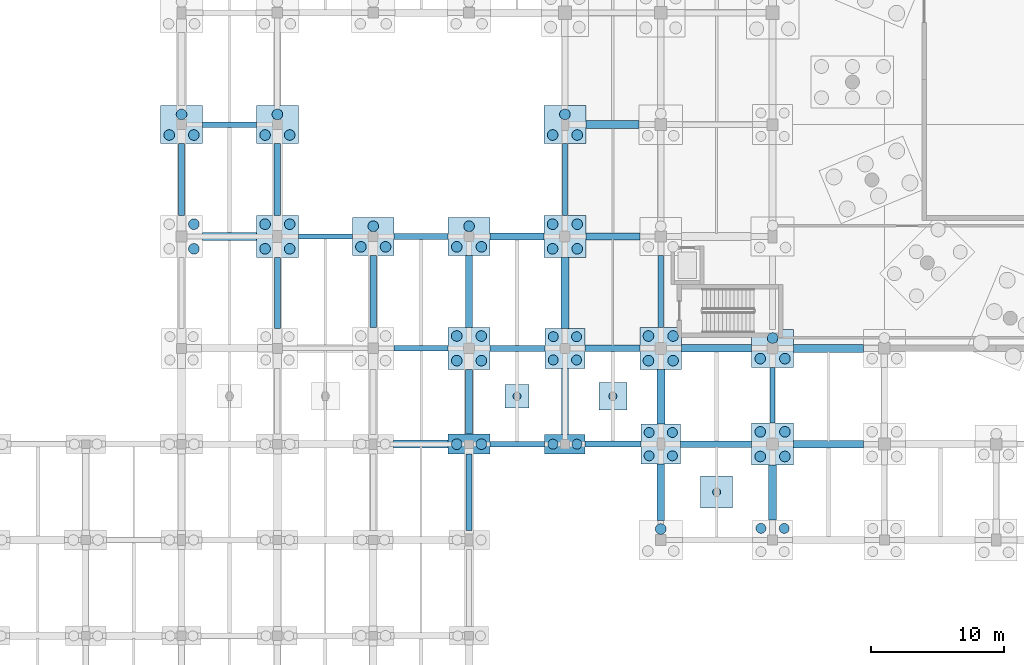
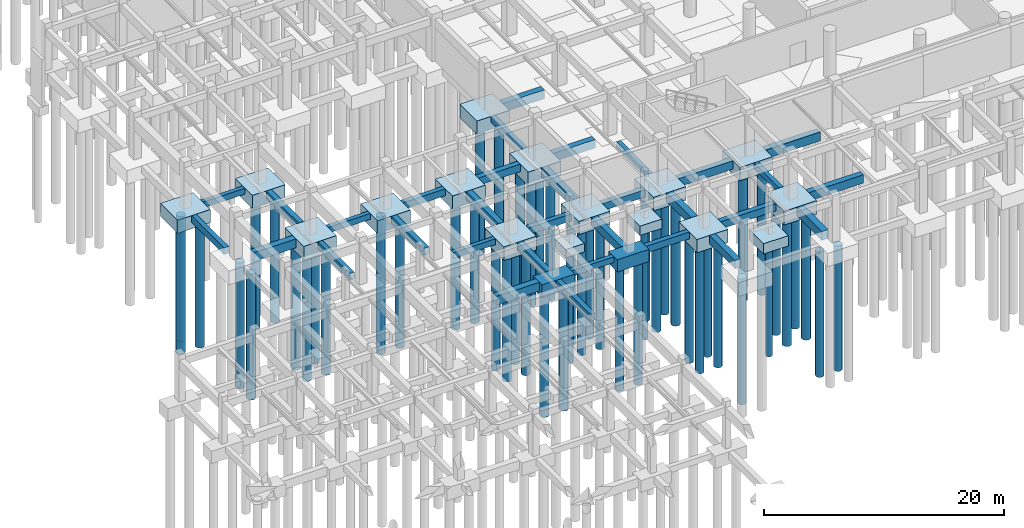
# One storey, part 3 of 44: 58 piles, 50 footings.
"""IFC4 building model written with IfcOpenShell, lengths in metres."""

from ifc_helpers import new_model, si_unit, direction, frame, origin, origin_2d, place, context, subcontext, project, spatial, rectangle, circle, extrude, material, material_profile, profile_set, type_object, element, save


model = new_model("IFC4")

# Units and contexts
model_context = context("Model", 3, precision=1e-05, world=origin(), true_north=direction((0.0, 1.0)))
body_context = subcontext(model_context, "Body", "Model", "MODEL_VIEW")
ifc_project = project(units=[si_unit("LENGTHUNIT", "METRE"), si_unit("AREAUNIT", "SQUARE_METRE"), si_unit("VOLUMEUNIT", "CUBIC_METRE"), si_unit("PLANEANGLEUNIT", "RADIAN"), si_unit("MASSUNIT", "GRAM", prefix="KILO")], contexts=[model_context])

# Site, building, storey
site_placement = place(None, origin())
site = spatial("IfcSite", under=ifc_project, at=site_placement, CompositionType="ELEMENT")
building_placement = place(site_placement, origin())
building = spatial("IfcBuilding", under=site, at=building_placement, Name="Korsvaeld Concert Hall", CompositionType="ELEMENT")
storey_placement = place(building_placement, frame((0.0, 0.0, -4.800048828125)))
storey = spatial("IfcBuildingStorey", under=building, at=storey_placement, Name="B1", CompositionType="ELEMENT", Elevation=-4.800048828125)

# Footings
ifc_material = material(Name="Concrete C35/45", Category="concrete")
ifc_material_profile_1 = material_profile(ifc_material, rectangle(XDim=0.39990234375, YDim=0.60009765625, at=origin_2d()), Name="GTB 400x600")
ifc_profile_set_1 = profile_set([ifc_material_profile_1], Name="Concrete C35/45")
footing_type_1 = type_object("IfcFootingType", Name="GTB-400x600", PredefinedType="FOOTING_BEAM", material=ifc_profile_set_1)
footing_1_placement = place(storey_placement, frame((37.574951171875, 36.0, -0.300048828125), z_axis=(1.0, 0.0, 0.0), x_axis=(0.0, 1.0, 0.0)))
element("IfcFooting", 1, at=footing_1_placement, inside=storey, type_object=footing_type_1, Name="Ground tie beam 6-7/F", PredefinedType="FOOTING_BEAM", context=body_context, shape_type="SweptSolid", body=[
    extrude(rectangle(XDim=0.39990234375, YDim=0.60009765625, at=origin_2d()), origin(), (0.0, 0.0, 1.0), 4.10009765625),
])
for number, where, z_axis, x_axis, name in (
    (2, (30.375, 43.199951171875, -0.300048828125), (1.0, 0.0, 0.0), (0.0, 1.0, 0.0), "Ground tie beam 5-6/G"),
    (3, (23.175048828125, 51.60009765625, -0.300048828125), (1.0, 0.0, 0.0), (0.0, 1.0, 0.0), "Ground tie beam 4-5/H"),
):
    element("IfcFooting", number, at=place(storey_placement, frame(where, z_axis=z_axis, x_axis=x_axis)), inside=storey, type_object=footing_type_1, Name=name, PredefinedType="FOOTING_BEAM", context=body_context, shape_type="SweptSolid", body=[
        extrude(rectangle(XDim=0.39990234375, YDim=0.60009765625, at=origin_2d()), origin(), (0.0, 0.0, 1.0), 4.050048828125),
    ])
footing_2_placement = place(storey_placement, frame((15.97509765625, 60.0, -0.300048828125), z_axis=(1.0, 0.0, 0.0), x_axis=(0.0, 1.0, 0.0)))
element("IfcFooting", 4, at=footing_2_placement, inside=storey, type_object=footing_type_1, Name="Ground tie beam 3-4/J", PredefinedType="FOOTING_BEAM", context=body_context, shape_type="SweptSolid", body=[
    extrude(rectangle(XDim=0.39990234375, YDim=0.60009765625, at=origin_2d()), origin(), (0.0, 0.0, 1.0), 4.0498046875),
])
footing_3_placement = place(storey_placement, frame((43.199951171875, 53.175048828125, -0.300048828125), z_axis=(0.0, 1.0, 0.0), x_axis=(-1.0, 0.0, 0.0)))
element("IfcFooting", 5, at=footing_3_placement, inside=storey, type_object=footing_type_1, Name="Ground tie beam 7/H-J", PredefinedType="FOOTING_BEAM", context=body_context, shape_type="SweptSolid", body=[
    extrude(rectangle(XDim=0.39990234375, YDim=0.60009765625, at=origin_2d()), origin(), (0.0, 0.0, 1.0), 5.39990234375),
])
footing_4_placement = place(storey_placement, frame((50.39990234375, 44.77490234375, -0.300048828125), z_axis=(0.0, 1.0, 0.0), x_axis=(-1.0, 0.0, 0.0)))
element("IfcFooting", 6, at=footing_4_placement, inside=storey, type_object=footing_type_1, Name="Ground tie beam 8/G-H", PredefinedType="FOOTING_BEAM", context=body_context, shape_type="SweptSolid", body=[
    extrude(rectangle(XDim=0.39990234375, YDim=0.60009765625, at=origin_2d()), origin(), (0.0, 0.0, 1.0), 5.400146484375),
])
footing_5_placement = place(storey_placement, frame((58.800048828125, 37.574951171875, -0.300048828125), z_axis=(0.0, 1.0, 0.0), x_axis=(-1.0, 0.0, 0.0)))
element("IfcFooting", 7, at=footing_5_placement, inside=storey, type_object=footing_type_1, Name="Ground tie beam 9/F-G", PredefinedType="FOOTING_BEAM", context=body_context, shape_type="SweptSolid", body=[
    extrude(rectangle(XDim=0.39990234375, YDim=0.60009765625, at=origin_2d()), origin(), (0.0, 0.0, 1.0), 4.199951171875),
])
ifc_material_profile_2 = material_profile(ifc_material, rectangle(XDim=0.449951171875, YDim=0.699951171875, at=origin_2d()), Name="GTB 450x700")
ifc_profile_set_2 = profile_set([ifc_material_profile_2], Name="Concrete C35/45")
footing_type_2 = type_object("IfcFootingType", Name="GTB-450x700", PredefinedType="FOOTING_BEAM", material=ifc_profile_set_2)
footing_6_placement = place(storey_placement, frame((44.72509765625, 36.0, -0.349853515625), z_axis=(1.0, 0.0, 0.0), x_axis=(0.0, 1.0, 0.0)))
element("IfcFooting", 8, at=footing_6_placement, inside=storey, type_object=footing_type_2, Name="Ground tie beam 7-8/F", PredefinedType="FOOTING_BEAM", context=body_context, shape_type="SweptSolid", body=[
    extrude(rectangle(XDim=0.449951171875, YDim=0.699951171875, at=origin_2d()), origin(), (0.0, 0.0, 1.0), 4.1748046875),
])
footing_7_placement = place(storey_placement, frame((37.574951171875, 43.199951171875, -0.349853515625), z_axis=(1.0, 0.0, 0.0), x_axis=(0.0, 1.0, 0.0)))
element("IfcFooting", 9, at=footing_7_placement, inside=storey, type_object=footing_type_2, Name="Ground tie beam 6-7/G", PredefinedType="FOOTING_BEAM", context=body_context, shape_type="SweptSolid", body=[
    extrude(rectangle(XDim=0.449951171875, YDim=0.699951171875, at=origin_2d()), origin(), (0.0, 0.0, 1.0), 4.125),
])
footing_8_placement = place(storey_placement, frame((30.375, 51.60009765625, -0.349853515625), z_axis=(1.0, 0.0, 0.0), x_axis=(0.0, 1.0, 0.0)))
element("IfcFooting", 10, at=footing_8_placement, inside=storey, type_object=footing_type_2, Name="Ground tie beam 5-6/H", PredefinedType="FOOTING_BEAM", context=body_context, shape_type="SweptSolid", body=[
    extrude(rectangle(XDim=0.449951171875, YDim=0.699951171875, at=origin_2d()), origin(), (0.0, 0.0, 1.0), 4.050048828125),
])
footing_9_placement = place(storey_placement, frame((14.39990234375, 53.175048828125, -0.349853515625), z_axis=(0.0, 1.0, 0.0), x_axis=(-1.0, 0.0, 0.0)))
element("IfcFooting", 11, at=footing_9_placement, inside=storey, type_object=footing_type_2, Name="Ground tie beam 3/H-J", PredefinedType="FOOTING_BEAM", context=body_context, shape_type="SweptSolid", body=[
    extrude(rectangle(XDim=0.449951171875, YDim=0.699951171875, at=origin_2d()), origin(), (0.0, 0.0, 1.0), 5.39990234375),
])
footing_10_placement = place(storey_placement, frame((21.60009765625, 44.699951171875, -0.349853515625), z_axis=(0.0, 1.0, 0.0), x_axis=(-1.0, 0.0, 0.0)))
element("IfcFooting", 12, at=footing_10_placement, inside=storey, type_object=footing_type_2, Name="Ground tie beam 4/G-H", PredefinedType="FOOTING_BEAM", context=body_context, shape_type="SweptSolid", body=[
    extrude(rectangle(XDim=0.449951171875, YDim=0.699951171875, at=origin_2d()), origin(), (0.0, 0.0, 1.0), 5.324951171875),
])
footing_11_placement = place(storey_placement, frame((36.0, 29.52490234375, -0.349853515625), z_axis=(0.0, 1.0, 0.0), x_axis=(-1.0, 0.0, 0.0)))
element("IfcFooting", 13, at=footing_11_placement, inside=storey, type_object=footing_type_2, Name="Ground tie beam 6/E-F", PredefinedType="FOOTING_BEAM", context=body_context, shape_type="SweptSolid", body=[
    extrude(rectangle(XDim=0.449951171875, YDim=0.699951171875, at=origin_2d()), origin(), (0.0, 0.0, 1.0), 5.72509765625),
])
ifc_material_profile_3 = material_profile(ifc_material, rectangle(XDim=0.5, YDim=0.75, at=origin_2d()), Name="GTB 500x750")
ifc_profile_set_3 = profile_set([ifc_material_profile_3], Name="Concrete C35/45")
footing_type_3 = type_object("IfcFootingType", Name="GTB-500x750", PredefinedType="FOOTING_BEAM", material=ifc_profile_set_3)
footing_12_placement = place(storey_placement, frame((51.89990234375, 36.0, -0.375), z_axis=(1.0, 0.0, 0.0), x_axis=(0.0, 1.0, 0.0)))
element("IfcFooting", 14, at=footing_12_placement, inside=storey, type_object=footing_type_3, Name="Ground tie beam 8-9/F", PredefinedType="FOOTING_BEAM", context=body_context, shape_type="SweptSolid", body=[
    extrude(rectangle(XDim=0.5, YDim=0.75, at=origin_2d()), origin(), (0.0, 0.0, 1.0), 5.3251953125),
])
footing_13_placement = place(storey_placement, frame((44.699951171875, 43.199951171875, -0.375), z_axis=(1.0, 0.0, 0.0), x_axis=(0.0, 1.0, 0.0)))
element("IfcFooting", 15, at=footing_13_placement, inside=storey, type_object=footing_type_3, Name="Ground tie beam 7-8/G", PredefinedType="FOOTING_BEAM", context=body_context, shape_type="SweptSolid", body=[
    extrude(rectangle(XDim=0.5, YDim=0.75, at=origin_2d()), origin(), (0.0, 0.0, 1.0), 4.125),
])
footing_14_placement = place(storey_placement, frame((37.574951171875, 51.60009765625, -0.375), z_axis=(1.0, 0.0, 0.0), x_axis=(0.0, 1.0, 0.0)))
element("IfcFooting", 16, at=footing_14_placement, inside=storey, type_object=footing_type_3, Name="Ground tie beam 6-7/H", PredefinedType="FOOTING_BEAM", context=body_context, shape_type="SweptSolid", body=[
    extrude(rectangle(XDim=0.5, YDim=0.75, at=origin_2d()), origin(), (0.0, 0.0, 1.0), 4.050048828125),
])
footing_15_placement = place(storey_placement, frame((21.60009765625, 53.175048828125, -0.375), z_axis=(0.0, 1.0, 0.0), x_axis=(-1.0, 0.0, 0.0)))
element("IfcFooting", 17, at=footing_15_placement, inside=storey, type_object=footing_type_3, Name="Ground tie beam 4/H-J", PredefinedType="FOOTING_BEAM", context=body_context, shape_type="SweptSolid", body=[
    extrude(rectangle(XDim=0.5, YDim=0.75, at=origin_2d()), origin(), (0.0, 0.0, 1.0), 5.39990234375),
])
footing_16_placement = place(storey_placement, frame((28.800048828125, 44.77490234375, -0.375), z_axis=(0.0, 1.0, 0.0), x_axis=(-1.0, 0.0, 0.0)))
element("IfcFooting", 18, at=footing_16_placement, inside=storey, type_object=footing_type_3, Name="Ground tie beam 5/G-H", PredefinedType="FOOTING_BEAM", context=body_context, shape_type="SweptSolid", body=[
    extrude(rectangle(XDim=0.5, YDim=0.75, at=origin_2d()), origin(), (0.0, 0.0, 1.0), 5.400146484375),
])
footing_17_placement = place(storey_placement, frame((36.0, 36.75, -0.375), z_axis=(0.0, 1.0, 0.0), x_axis=(-1.0, 0.0, 0.0)))
element("IfcFooting", 19, at=footing_17_placement, inside=storey, type_object=footing_type_3, Name="Ground tie beam 6/F-G", PredefinedType="FOOTING_BEAM", context=body_context, shape_type="SweptSolid", body=[
    extrude(rectangle(XDim=0.5, YDim=0.75, at=origin_2d()), origin(), (0.0, 0.0, 1.0), 4.875),
])
ifc_material_profile_4 = material_profile(ifc_material, rectangle(XDim=0.550048828125, YDim=0.85009765625, at=origin_2d()), Name="GTB 550x850")
ifc_profile_set_4 = profile_set([ifc_material_profile_4], Name="Concrete C35/45")
footing_type_4 = type_object("IfcFootingType", Name="GTB-550x850", PredefinedType="FOOTING_BEAM", material=ifc_profile_set_4)
for number, where, z_axis, x_axis, name in (
    (20, (60.375, 36.0, -0.425048828125), (1.0, 0.0, 0.0), (0.0, 1.0, 0.0), "Ground tie beam 9-10/F"),
    (21, (51.97509765625, 43.199951171875, -0.425048828125), (1.0, 0.0, 0.0), (0.0, 1.0, 0.0), "Ground tie beam 8-9/G"),
):
    element("IfcFooting", number, at=place(storey_placement, frame(where, z_axis=z_axis, x_axis=x_axis)), inside=storey, type_object=footing_type_4, Name=name, PredefinedType="FOOTING_BEAM", context=body_context, shape_type="SweptSolid", body=[
        extrude(rectangle(XDim=0.550048828125, YDim=0.85009765625, at=origin_2d()), origin(), (0.0, 0.0, 1.0), 5.25),
    ])
footing_18_placement = place(storey_placement, frame((44.77490234375, 51.60009765625, -0.425048828125), z_axis=(1.0, 0.0, 0.0), x_axis=(0.0, 1.0, 0.0)))
element("IfcFooting", 22, at=footing_18_placement, inside=storey, type_object=footing_type_4, Name="Ground tie beam 7-8/H", PredefinedType="FOOTING_BEAM", context=body_context, shape_type="SweptSolid", body=[
    extrude(rectangle(XDim=0.550048828125, YDim=0.85009765625, at=origin_2d()), origin(), (0.0, 0.0, 1.0), 4.050048828125),
])
footing_19_placement = place(storey_placement, frame((36.0, 44.77490234375, -0.425048828125), z_axis=(0.0, 1.0, 0.0), x_axis=(-1.0, 0.0, 0.0)))
element("IfcFooting", 23, at=footing_19_placement, inside=storey, type_object=footing_type_4, Name="Ground tie beam 6/G-H", PredefinedType="FOOTING_BEAM", context=body_context, shape_type="SweptSolid", body=[
    extrude(rectangle(XDim=0.550048828125, YDim=0.85009765625, at=origin_2d()), origin(), (0.0, 0.0, 1.0), 5.400146484375),
])
footing_20_placement = place(storey_placement, frame((43.199951171875, 36.72509765625, -0.425048828125), z_axis=(0.0, 1.0, 0.0), x_axis=(-1.0, 0.0, 0.0)))
element("IfcFooting", 24, at=footing_20_placement, inside=storey, type_object=footing_type_4, Name="Ground tie beam 7/F-G", PredefinedType="FOOTING_BEAM", context=body_context, shape_type="SweptSolid", body=[
    extrude(rectangle(XDim=0.550048828125, YDim=0.85009765625, at=origin_2d()), origin(), (0.0, 0.0, 1.0), 4.974853515625),
])
footing_21_placement = place(storey_placement, frame((50.39990234375, 30.27490234375, -0.425048828125), z_axis=(0.0, 1.0, 0.0), x_axis=(-1.0, 0.0, 0.0)))
element("IfcFooting", 25, at=footing_21_placement, inside=storey, type_object=footing_type_4, Name="Ground tie beam 8/E-F", PredefinedType="FOOTING_BEAM", context=body_context, shape_type="SweptSolid", body=[
    extrude(rectangle(XDim=0.550048828125, YDim=0.85009765625, at=origin_2d()), origin(), (0.0, 0.0, 1.0), 4.22509765625),
])
ifc_material_profile_5 = material_profile(ifc_material, rectangle(XDim=0.60009765625, YDim=0.89990234375, at=origin_2d()), Name="GTB 600x900")
ifc_profile_set_5 = profile_set([ifc_material_profile_5], Name="Concrete C35/45")
footing_type_5 = type_object("IfcFootingType", Name="GTB-600x900", PredefinedType="FOOTING_BEAM", material=ifc_profile_set_5)
footing_22_placement = place(storey_placement, frame((30.324951171875, 36.0, -0.449951171875), z_axis=(1.0, 0.0, 0.0), x_axis=(0.0, 1.0, 0.0)))
element("IfcFooting", 26, at=footing_22_placement, inside=storey, type_object=footing_type_5, Name="Ground tie beam 5-6/F", PredefinedType="FOOTING_BEAM", context=body_context, shape_type="SweptSolid", body=[
    extrude(rectangle(XDim=0.60009765625, YDim=0.89990234375, at=origin_2d()), origin(), (0.0, 0.0, 1.0), 4.10009765625),
])
footing_23_placement = place(storey_placement, frame((60.375, 43.199951171875, -0.449951171875), z_axis=(1.0, 0.0, 0.0), x_axis=(0.0, 1.0, 0.0)))
element("IfcFooting", 27, at=footing_23_placement, inside=storey, type_object=footing_type_5, Name="Ground tie beam 9-10/G", PredefinedType="FOOTING_BEAM", context=body_context, shape_type="SweptSolid", body=[
    extrude(rectangle(XDim=0.60009765625, YDim=0.89990234375, at=origin_2d()), origin(), (0.0, 0.0, 1.0), 5.25),
])
footing_24_placement = place(storey_placement, frame((15.97509765625, 51.60009765625, -0.449951171875), z_axis=(1.0, 0.0, 0.0), x_axis=(0.0, 1.0, 0.0)))
element("IfcFooting", 28, at=footing_24_placement, inside=storey, type_object=footing_type_5, Name="Ground tie beam 3-4/H", PredefinedType="FOOTING_BEAM", context=body_context, shape_type="SweptSolid", body=[
    extrude(rectangle(XDim=0.60009765625, YDim=0.89990234375, at=origin_2d()), origin(), (0.0, 0.0, 1.0), 4.0498046875),
])
footing_25_placement = place(storey_placement, frame((44.77490234375, 60.0, -0.449951171875), z_axis=(1.0, 0.0, 0.0), x_axis=(0.0, 1.0, 0.0)))
element("IfcFooting", 29, at=footing_25_placement, inside=storey, type_object=footing_type_5, Name="Ground tie beam 7-8/J", PredefinedType="FOOTING_BEAM", context=body_context, shape_type="SweptSolid", body=[
    extrude(rectangle(XDim=0.60009765625, YDim=0.89990234375, at=origin_2d()), origin(), (0.0, 0.0, 1.0), 4.0),
])
footing_26_placement = place(storey_placement, frame((43.199951171875, 44.699951171875, -0.449951171875), z_axis=(0.0, 1.0, 0.0), x_axis=(-1.0, 0.0, 0.0)))
element("IfcFooting", 30, at=footing_26_placement, inside=storey, type_object=footing_type_5, Name="Ground tie beam 7/G-H", PredefinedType="FOOTING_BEAM", context=body_context, shape_type="SweptSolid", body=[
    extrude(rectangle(XDim=0.60009765625, YDim=0.89990234375, at=origin_2d()), origin(), (0.0, 0.0, 1.0), 5.324951171875),
])
for number, where, z_axis, x_axis, name in (
    (31, (50.39990234375, 37.5, -0.449951171875), (0.0, 1.0, 0.0), (-1.0, 0.0, 0.0), "Ground tie beam 8/F-G"),
    (32, (58.800048828125, 30.300048828125, -0.449951171875), (0.0, 1.0, 0.0), (-1.0, 0.0, 0.0), "Ground tie beam 9/E-F"),
):
    element("IfcFooting", number, at=place(storey_placement, frame(where, z_axis=z_axis, x_axis=x_axis)), inside=storey, type_object=footing_type_5, Name=name, PredefinedType="FOOTING_BEAM", context=body_context, shape_type="SweptSolid", body=[
        extrude(rectangle(XDim=0.60009765625, YDim=0.89990234375, at=origin_2d()), origin(), (0.0, 0.0, 1.0), 4.125),
    ])
footing_type_6 = type_object("IfcFootingType", Name="PC-2P-260x140x125", PredefinedType="PILE_CAP", material=ifc_material)
footing_27_placement = place(storey_placement, frame((43.199951171875, 36.0, -1.25), z_axis=(0.0, 0.0, 1.0), x_axis=(1.0, 0.0, 0.0)))
element("IfcFooting", 33, at=footing_27_placement, inside=storey, type_object=footing_type_6, Name="Pile cap 7/F", PredefinedType="PILE_CAP", context=body_context, shape_type="SweptSolid", body=[
    extrude(rectangle(XDim=3.050048828125, YDim=1.449951171875, at=origin_2d()), origin(), (0.0, 0.0, 1.0), 1.25),
])
footing_type_7 = type_object("IfcFootingType", Name="PC-2P-280x150x130", PredefinedType="PILE_CAP", material=ifc_material)
footing_28_placement = place(storey_placement, frame((36.0, 36.0, -1.2998046875), z_axis=(0.0, 0.0, 1.0), x_axis=(1.0, 0.0, 0.0)))
element("IfcFooting", 34, at=footing_28_placement, inside=storey, type_object=footing_type_7, Name="Pile cap 6/F", PredefinedType="PILE_CAP", context=body_context, shape_type="SweptSolid", body=[
    extrude(rectangle(XDim=3.14990234375, YDim=1.5, at=origin_2d()), origin(), (0.0, 0.0, 1.0), 1.300048828125),
])
footing_type_8 = type_object("IfcFootingType", Name="PC-3P-290x260x135", PredefinedType="PILE_CAP", material=ifc_material)
for number, where, z_axis, x_axis, name in (
    (35, (14.39990234375, 60.0, -1.35009765625), (0.0, 0.0, 1.0), (1.0, 0.0, 0.0), "Pile cap 3/J"),
    (36, (21.60009765625, 60.0, -1.35009765625), (0.0, 0.0, 1.0), (1.0, 0.0, 0.0), "Pile cap 4/J"),
    (37, (28.800048828125, 51.60009765625, -1.35009765625), (0.0, 0.0, 1.0), (1.0, 0.0, 0.0), "Pile cap 5/H"),
    (38, (36.0, 51.60009765625, -1.35009765625), (0.0, 0.0, 1.0), (1.0, 0.0, 0.0), "Pile cap 6/H"),
    (39, (43.199951171875, 60.0, -1.35009765625), (0.0, 0.0, 1.0), (1.0, 0.0, 0.0), "Pile cap 7/J"),
    (40, (58.800048828125, 43.199951171875, -1.35009765625), (0.0, 0.0, 1.0), (1.0, 0.0, 0.0), "Pile cap 9/G"),
):
    element("IfcFooting", number, at=place(storey_placement, frame(where, z_axis=z_axis, x_axis=x_axis)), inside=storey, type_object=footing_type_8, Name=name, PredefinedType="PILE_CAP", context=body_context, shape_type="SweptSolid", body=[
        extrude(rectangle(XDim=3.14990234375, YDim=2.85009765625, at=origin_2d()), origin(), (0.0, 0.0, 1.0), 1.35009765625),
    ])
footing_type_9 = type_object("IfcFootingType", Name="PC-4P-280x280x135", PredefinedType="PILE_CAP", material=ifc_material)
for number, where, z_axis, x_axis, name in (
    (41, (43.199951171875, 43.199951171875, -1.35009765625), (0.0, 0.0, 1.0), (1.0, 0.0, 0.0), "Pile cap 7/G"),
    (42, (50.39990234375, 36.0, -1.35009765625), (0.0, 0.0, 1.0), (1.0, 0.0, 0.0), "Pile cap 8/F"),
):
    element("IfcFooting", number, at=place(storey_placement, frame(where, z_axis=z_axis, x_axis=x_axis)), inside=storey, type_object=footing_type_9, Name=name, PredefinedType="PILE_CAP", context=body_context, shape_type="SweptSolid", body=[
        extrude(rectangle(XDim=3.0, YDim=3.0, at=origin_2d()), origin(), (0.0, 0.0, 1.0), 1.35009765625),
    ])
footing_type_10 = type_object("IfcFootingType", Name="PC-4P-300x300x140", PredefinedType="PILE_CAP", material=ifc_material)
for number, where, z_axis, x_axis, name in (
    (43, (21.60009765625, 51.60009765625, -1.39990234375), (0.0, 0.0, 1.0), (1.0, 0.0, 0.0), "Pile cap 4/H"),
    (44, (36.0, 43.199951171875, -1.39990234375), (0.0, 0.0, 1.0), (1.0, 0.0, 0.0), "Pile cap 6/G"),
    (45, (43.199951171875, 51.60009765625, -1.39990234375), (0.0, 0.0, 1.0), (1.0, 0.0, 0.0), "Pile cap 7/H"),
    (46, (50.39990234375, 43.199951171875, -1.39990234375), (0.0, 0.0, 1.0), (1.0, 0.0, 0.0), "Pile cap 8/G"),
    (47, (58.800048828125, 36.0, -1.39990234375), (0.0, 0.0, 1.0), (1.0, 0.0, 0.0), "Pile cap 9/F"),
):
    element("IfcFooting", number, at=place(storey_placement, frame(where, z_axis=z_axis, x_axis=x_axis)), inside=storey, type_object=footing_type_10, Name=name, PredefinedType="PILE_CAP", context=body_context, shape_type="SweptSolid", body=[
        extrude(rectangle(XDim=3.14990234375, YDim=3.14990234375, at=origin_2d()), origin(), (0.0, 0.0, 1.0), 1.39990234375),
    ])
footing_type_11 = type_object("IfcFootingType", Name="PF-PAD-180x180x85", PredefinedType="PAD_FOOTING", material=ifc_material)
footing_29_placement = place(storey_placement, frame((39.60009765625, 39.60009765625, -0.85009765625), z_axis=(0.0, 0.0, 1.0), x_axis=(1.0, 0.0, 0.0)))
element("IfcFooting", 48, at=footing_29_placement, inside=storey, type_object=footing_type_11, Name="Pilaster pad footing PLF-01", PredefinedType="PAD_FOOTING", context=body_context, shape_type="SweptSolid", body=[
    extrude(rectangle(XDim=1.800048828125, YDim=1.800048828125, at=origin_2d()), origin(), (0.0, 0.0, 1.0), 0.85009765625),
])
footing_type_12 = type_object("IfcFootingType", Name="PF-PAD-210x210x95", PredefinedType="PAD_FOOTING", material=ifc_material)
footing_30_placement = place(storey_placement, frame((46.800048828125, 39.60009765625, -0.94970703125), z_axis=(0.0, 0.0, 1.0), x_axis=(1.0, 0.0, 0.0)))
element("IfcFooting", 49, at=footing_30_placement, inside=storey, type_object=footing_type_12, Name="Pilaster pad footing PLF-02", PredefinedType="PAD_FOOTING", context=body_context, shape_type="SweptSolid", body=[
    extrude(rectangle(XDim=2.10009765625, YDim=2.10009765625, at=origin_2d()), origin(), (0.0, 0.0, 1.0), 0.949951171875),
])
footing_type_13 = type_object("IfcFootingType", Name="PF-PAD-240x240x105", PredefinedType="PAD_FOOTING", material=ifc_material)
footing_31_placement = place(storey_placement, frame((54.60009765625, 32.39990234375, -1.0498046875), z_axis=(0.0, 0.0, 1.0), x_axis=(1.0, 0.0, 0.0)))
element("IfcFooting", 50, at=footing_31_placement, inside=storey, type_object=footing_type_13, Name="Pilaster pad footing PLF-03", PredefinedType="PAD_FOOTING", context=body_context, shape_type="SweptSolid", body=[
    extrude(rectangle(XDim=2.39990234375, YDim=2.39990234375, at=origin_2d()), origin(), (0.0, 0.0, 1.0), 1.050048828125),
])

# Piles
ifc_material_profile_6 = material_profile(ifc_material, circle(Radius=0.300048828125, at=origin_2d()), Name="BORED PILE D600")
ifc_profile_set_6 = profile_set([ifc_material_profile_6], Name="Concrete C35/45")
pile_type_1 = type_object("IfcPileType", Name="PILE-D600", PredefinedType="BORED", material=ifc_profile_set_6)
for number, where, z_axis, x_axis, name in (
    (51, (39.60009765625, 39.60009765625, -0.75), (0.0, 0.0, -1.0), (1.0, 0.0, 0.0), "Pilaster bored pile PLP-01"),
    (52, (46.800048828125, 39.60009765625, -0.849853515625), (0.0, 0.0, -1.0), (1.0, 0.0, 0.0), "Pilaster bored pile PLP-02"),
    (53, (54.60009765625, 32.39990234375, -0.949951171875), (0.0, 0.0, -1.0), (1.0, 0.0, 0.0), "Pilaster bored pile PLP-03"),
):
    element("IfcPile", number, at=place(storey_placement, frame(where, z_axis=z_axis, x_axis=x_axis)), inside=storey, type_object=pile_type_1, Name=name, PredefinedType="BORED", context=body_context, shape_type="SweptSolid", body=[
        extrude(circle(Radius=0.300048828125, at=origin_2d()), origin(), (0.0, 0.0, 1.0), 11.5),
    ])
ifc_material_profile_7 = material_profile(ifc_material, circle(Radius=0.375, at=origin_2d()), Name="BORED PILE D750")
ifc_profile_set_7 = profile_set([ifc_material_profile_7], Name="Concrete C35/45")
pile_type_2 = type_object("IfcPileType", Name="PILE-D750", PredefinedType="BORED", material=ifc_profile_set_7)
for number, where, z_axis, x_axis, name in (
    (54, (42.300048828125, 36.0, -1.14990234375), (0.0, 0.0, -1.0), (1.0, 0.0, 0.0), "Bored pile 7/F-1"),
    (55, (44.10009765625, 36.0, -1.14990234375), (0.0, 0.0, -1.0), (1.0, 0.0, 0.0), "Bored pile 7/F-2"),
):
    element("IfcPile", number, at=place(storey_placement, frame(where, z_axis=z_axis, x_axis=x_axis)), inside=storey, type_object=pile_type_2, Name=name, PredefinedType="BORED", context=body_context, shape_type="SweptSolid", body=[
        extrude(circle(Radius=0.375, at=origin_2d()), origin(), (0.0, 0.0, 1.0), 12.64990234375),
    ])
for number, where, z_axis, x_axis, name in (
    (56, (42.324951171875, 42.324951171875, -1.25), (0.0, 0.0, -1.0), (1.0, 0.0, 0.0), "Bored pile 7/G-1"),
    (57, (44.074951171875, 42.324951171875, -1.25), (0.0, 0.0, -1.0), (1.0, 0.0, 0.0), "Bored pile 7/G-2"),
    (58, (42.324951171875, 44.074951171875, -1.25), (0.0, 0.0, -1.0), (1.0, 0.0, 0.0), "Bored pile 7/G-3"),
    (59, (44.074951171875, 44.074951171875, -1.25), (0.0, 0.0, -1.0), (1.0, 0.0, 0.0), "Bored pile 7/G-4"),
    (60, (49.52490234375, 35.125, -1.25), (0.0, 0.0, -1.0), (1.0, 0.0, 0.0), "Bored pile 8/F-1"),
    (61, (51.27490234375, 35.125, -1.25), (0.0, 0.0, -1.0), (1.0, 0.0, 0.0), "Bored pile 8/F-2"),
    (62, (49.52490234375, 36.875, -1.25), (0.0, 0.0, -1.0), (1.0, 0.0, 0.0), "Bored pile 8/F-3"),
    (63, (51.27490234375, 36.875, -1.25), (0.0, 0.0, -1.0), (1.0, 0.0, 0.0), "Bored pile 8/F-4"),
    (64, (57.925048828125, 29.675048828125, -1.25), (0.0, 0.0, -1.0), (1.0, 0.0, 0.0), "Bored pile 9/E-3"),
    (65, (59.675048828125, 29.675048828125, -1.25), (0.0, 0.0, -1.0), (1.0, 0.0, 0.0), "Bored pile 9/E-4"),
):
    element("IfcPile", number, at=place(storey_placement, frame(where, z_axis=z_axis, x_axis=x_axis)), inside=storey, type_object=pile_type_2, Name=name, PredefinedType="BORED", context=body_context, shape_type="SweptSolid", body=[
        extrude(circle(Radius=0.375, at=origin_2d()), origin(), (0.0, 0.0, 1.0), 12.75),
    ])
ifc_material_profile_8 = material_profile(ifc_material, circle(Radius=0.39990234375, at=origin_2d()), Name="BORED PILE D800")
ifc_profile_set_8 = profile_set([ifc_material_profile_8], Name="Concrete C35/45")
pile_type_3 = type_object("IfcPileType", Name="PILE-D800", PredefinedType="BORED", material=ifc_profile_set_8)
for number, where, z_axis, x_axis, name in (
    (66, (15.324951171875, 50.675048828125, -1.300048828125), (0.0, 0.0, -1.0), (1.0, 0.0, 0.0), "Bored pile 3/H-2"),
    (67, (15.324951171875, 52.52490234375, -1.300048828125), (0.0, 0.0, -1.0), (1.0, 0.0, 0.0), "Bored pile 3/H-4"),
):
    element("IfcPile", number, at=place(storey_placement, frame(where, z_axis=z_axis, x_axis=x_axis)), inside=storey, type_object=pile_type_3, Name=name, PredefinedType="BORED", context=body_context, shape_type="SweptSolid", body=[
        extrude(circle(Radius=0.39990234375, at=origin_2d()), origin(), (0.0, 0.0, 1.0), 12.800048828125),
    ])
for number, where, z_axis, x_axis, name in (
    (68, (13.47509765625, 59.22509765625, -1.25), (0.0, 0.0, -1.0), (1.0, 0.0, 0.0), "Bored pile 3/J-1"),
    (69, (15.324951171875, 59.22509765625, -1.25), (0.0, 0.0, -1.0), (1.0, 0.0, 0.0), "Bored pile 3/J-2"),
    (70, (14.39990234375, 60.77490234375, -1.25), (0.0, 0.0, -1.0), (1.0, 0.0, 0.0), "Bored pile 3/J-3"),
):
    element("IfcPile", number, at=place(storey_placement, frame(where, z_axis=z_axis, x_axis=x_axis)), inside=storey, type_object=pile_type_3, Name=name, PredefinedType="BORED", context=body_context, shape_type="SweptSolid", body=[
        extrude(circle(Radius=0.39990234375, at=origin_2d()), origin(), (0.0, 0.0, 1.0), 12.75),
    ])
for number, where, z_axis, x_axis, name in (
    (71, (20.675048828125, 50.675048828125, -1.300048828125), (0.0, 0.0, -1.0), (1.0, 0.0, 0.0), "Bored pile 4/H-1"),
    (72, (22.52490234375, 50.675048828125, -1.300048828125), (0.0, 0.0, -1.0), (1.0, 0.0, 0.0), "Bored pile 4/H-2"),
    (73, (20.675048828125, 52.52490234375, -1.300048828125), (0.0, 0.0, -1.0), (1.0, 0.0, 0.0), "Bored pile 4/H-3"),
    (74, (22.52490234375, 52.52490234375, -1.300048828125), (0.0, 0.0, -1.0), (1.0, 0.0, 0.0), "Bored pile 4/H-4"),
):
    element("IfcPile", number, at=place(storey_placement, frame(where, z_axis=z_axis, x_axis=x_axis)), inside=storey, type_object=pile_type_3, Name=name, PredefinedType="BORED", context=body_context, shape_type="SweptSolid", body=[
        extrude(circle(Radius=0.39990234375, at=origin_2d()), origin(), (0.0, 0.0, 1.0), 12.800048828125),
    ])
for number, where, z_axis, x_axis, name in (
    (75, (20.675048828125, 59.22509765625, -1.25), (0.0, 0.0, -1.0), (1.0, 0.0, 0.0), "Bored pile 4/J-1"),
    (76, (22.52490234375, 59.22509765625, -1.25), (0.0, 0.0, -1.0), (1.0, 0.0, 0.0), "Bored pile 4/J-2"),
    (77, (21.60009765625, 60.77490234375, -1.25), (0.0, 0.0, -1.0), (1.0, 0.0, 0.0), "Bored pile 4/J-3"),
    (78, (27.875, 50.824951171875, -1.25), (0.0, 0.0, -1.0), (1.0, 0.0, 0.0), "Bored pile 5/H-1"),
    (79, (29.72509765625, 50.824951171875, -1.25), (0.0, 0.0, -1.0), (1.0, 0.0, 0.0), "Bored pile 5/H-2"),
    (80, (28.800048828125, 52.375, -1.25), (0.0, 0.0, -1.0), (1.0, 0.0, 0.0), "Bored pile 5/H-3"),
):
    element("IfcPile", number, at=place(storey_placement, frame(where, z_axis=z_axis, x_axis=x_axis)), inside=storey, type_object=pile_type_3, Name=name, PredefinedType="BORED", context=body_context, shape_type="SweptSolid", body=[
        extrude(circle(Radius=0.39990234375, at=origin_2d()), origin(), (0.0, 0.0, 1.0), 12.75),
    ])
for number, where, z_axis, x_axis, name in (
    (81, (35.074951171875, 36.0, -1.199951171875), (0.0, 0.0, -1.0), (1.0, 0.0, 0.0), "Bored pile 6/F-1"),
    (82, (36.925048828125, 36.0, -1.199951171875), (0.0, 0.0, -1.0), (1.0, 0.0, 0.0), "Bored pile 6/F-2"),
):
    element("IfcPile", number, at=place(storey_placement, frame(where, z_axis=z_axis, x_axis=x_axis)), inside=storey, type_object=pile_type_3, Name=name, PredefinedType="BORED", context=body_context, shape_type="SweptSolid", body=[
        extrude(circle(Radius=0.39990234375, at=origin_2d()), origin(), (0.0, 0.0, 1.0), 12.699951171875),
    ])
for number, where, z_axis, x_axis, name in (
    (83, (35.074951171875, 42.27490234375, -1.300048828125), (0.0, 0.0, -1.0), (1.0, 0.0, 0.0), "Bored pile 6/G-1"),
    (84, (36.925048828125, 42.27490234375, -1.300048828125), (0.0, 0.0, -1.0), (1.0, 0.0, 0.0), "Bored pile 6/G-2"),
    (85, (35.074951171875, 44.125, -1.300048828125), (0.0, 0.0, -1.0), (1.0, 0.0, 0.0), "Bored pile 6/G-3"),
    (86, (36.925048828125, 44.125, -1.300048828125), (0.0, 0.0, -1.0), (1.0, 0.0, 0.0), "Bored pile 6/G-4"),
):
    element("IfcPile", number, at=place(storey_placement, frame(where, z_axis=z_axis, x_axis=x_axis)), inside=storey, type_object=pile_type_3, Name=name, PredefinedType="BORED", context=body_context, shape_type="SweptSolid", body=[
        extrude(circle(Radius=0.39990234375, at=origin_2d()), origin(), (0.0, 0.0, 1.0), 12.800048828125),
    ])
for number, where, z_axis, x_axis, name in (
    (87, (35.074951171875, 50.824951171875, -1.25), (0.0, 0.0, -1.0), (1.0, 0.0, 0.0), "Bored pile 6/H-1"),
    (88, (36.925048828125, 50.824951171875, -1.25), (0.0, 0.0, -1.0), (1.0, 0.0, 0.0), "Bored pile 6/H-2"),
    (89, (36.0, 52.375, -1.25), (0.0, 0.0, -1.0), (1.0, 0.0, 0.0), "Bored pile 6/H-3"),
):
    element("IfcPile", number, at=place(storey_placement, frame(where, z_axis=z_axis, x_axis=x_axis)), inside=storey, type_object=pile_type_3, Name=name, PredefinedType="BORED", context=body_context, shape_type="SweptSolid", body=[
        extrude(circle(Radius=0.39990234375, at=origin_2d()), origin(), (0.0, 0.0, 1.0), 12.75),
    ])
for number, where, z_axis, x_axis, name in (
    (90, (42.27490234375, 50.675048828125, -1.300048828125), (0.0, 0.0, -1.0), (1.0, 0.0, 0.0), "Bored pile 7/H-1"),
    (91, (44.125, 50.675048828125, -1.300048828125), (0.0, 0.0, -1.0), (1.0, 0.0, 0.0), "Bored pile 7/H-2"),
    (92, (42.27490234375, 52.52490234375, -1.300048828125), (0.0, 0.0, -1.0), (1.0, 0.0, 0.0), "Bored pile 7/H-3"),
    (93, (44.125, 52.52490234375, -1.300048828125), (0.0, 0.0, -1.0), (1.0, 0.0, 0.0), "Bored pile 7/H-4"),
):
    element("IfcPile", number, at=place(storey_placement, frame(where, z_axis=z_axis, x_axis=x_axis)), inside=storey, type_object=pile_type_3, Name=name, PredefinedType="BORED", context=body_context, shape_type="SweptSolid", body=[
        extrude(circle(Radius=0.39990234375, at=origin_2d()), origin(), (0.0, 0.0, 1.0), 12.800048828125),
    ])
for number, where, z_axis, x_axis, name in (
    (94, (42.27490234375, 59.22509765625, -1.25), (0.0, 0.0, -1.0), (1.0, 0.0, 0.0), "Bored pile 7/J-1"),
    (95, (44.125, 59.22509765625, -1.25), (0.0, 0.0, -1.0), (1.0, 0.0, 0.0), "Bored pile 7/J-2"),
    (96, (43.199951171875, 60.77490234375, -1.25), (0.0, 0.0, -1.0), (1.0, 0.0, 0.0), "Bored pile 7/J-3"),
):
    element("IfcPile", number, at=place(storey_placement, frame(where, z_axis=z_axis, x_axis=x_axis)), inside=storey, type_object=pile_type_3, Name=name, PredefinedType="BORED", context=body_context, shape_type="SweptSolid", body=[
        extrude(circle(Radius=0.39990234375, at=origin_2d()), origin(), (0.0, 0.0, 1.0), 12.75),
    ])
for number, where, z_axis, x_axis, name in (
    (97, (50.39990234375, 29.625, -1.300048828125), (0.0, 0.0, -1.0), (1.0, 0.0, 0.0), "Bored pile 8/E-3"),
    (98, (49.47509765625, 42.27490234375, -1.300048828125), (0.0, 0.0, -1.0), (1.0, 0.0, 0.0), "Bored pile 8/G-1"),
    (99, (51.324951171875, 42.27490234375, -1.300048828125), (0.0, 0.0, -1.0), (1.0, 0.0, 0.0), "Bored pile 8/G-2"),
    (100, (49.47509765625, 44.125, -1.300048828125), (0.0, 0.0, -1.0), (1.0, 0.0, 0.0), "Bored pile 8/G-3"),
    (101, (51.324951171875, 44.125, -1.300048828125), (0.0, 0.0, -1.0), (1.0, 0.0, 0.0), "Bored pile 8/G-4"),
    (102, (57.875, 35.074951171875, -1.300048828125), (0.0, 0.0, -1.0), (1.0, 0.0, 0.0), "Bored pile 9/F-1"),
    (103, (59.72509765625, 35.074951171875, -1.300048828125), (0.0, 0.0, -1.0), (1.0, 0.0, 0.0), "Bored pile 9/F-2"),
    (104, (57.875, 36.925048828125, -1.300048828125), (0.0, 0.0, -1.0), (1.0, 0.0, 0.0), "Bored pile 9/F-3"),
    (105, (59.72509765625, 36.925048828125, -1.300048828125), (0.0, 0.0, -1.0), (1.0, 0.0, 0.0), "Bored pile 9/F-4"),
):
    element("IfcPile", number, at=place(storey_placement, frame(where, z_axis=z_axis, x_axis=x_axis)), inside=storey, type_object=pile_type_3, Name=name, PredefinedType="BORED", context=body_context, shape_type="SweptSolid", body=[
        extrude(circle(Radius=0.39990234375, at=origin_2d()), origin(), (0.0, 0.0, 1.0), 12.800048828125),
    ])
for number, where, z_axis, x_axis, name in (
    (106, (57.875, 42.425048828125, -1.25), (0.0, 0.0, -1.0), (1.0, 0.0, 0.0), "Bored pile 9/G-1"),
    (107, (59.72509765625, 42.425048828125, -1.25), (0.0, 0.0, -1.0), (1.0, 0.0, 0.0), "Bored pile 9/G-2"),
    (108, (58.800048828125, 43.97509765625, -1.25), (0.0, 0.0, -1.0), (1.0, 0.0, 0.0), "Bored pile 9/G-3"),
):
    element("IfcPile", number, at=place(storey_placement, frame(where, z_axis=z_axis, x_axis=x_axis)), inside=storey, type_object=pile_type_3, Name=name, PredefinedType="BORED", context=body_context, shape_type="SweptSolid", body=[
        extrude(circle(Radius=0.39990234375, at=origin_2d()), origin(), (0.0, 0.0, 1.0), 12.75),
    ])

save(model, "model.ifc")
